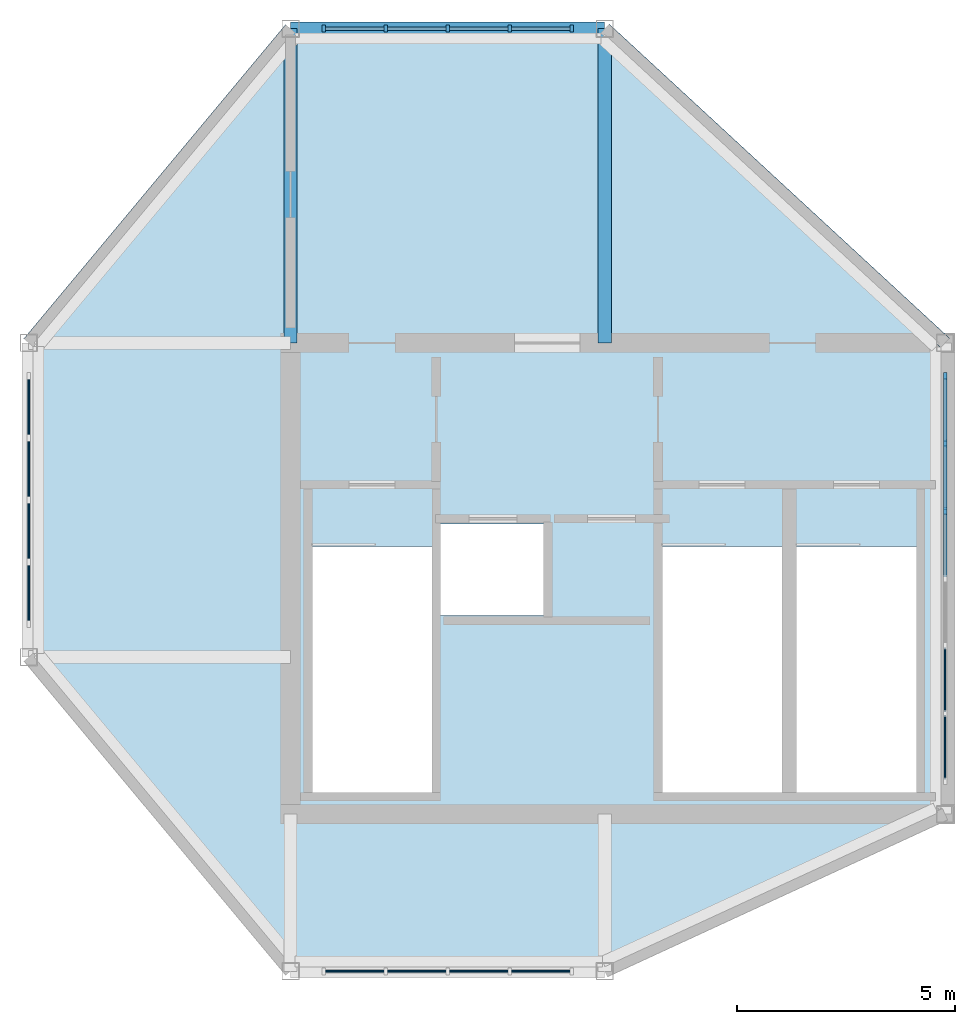
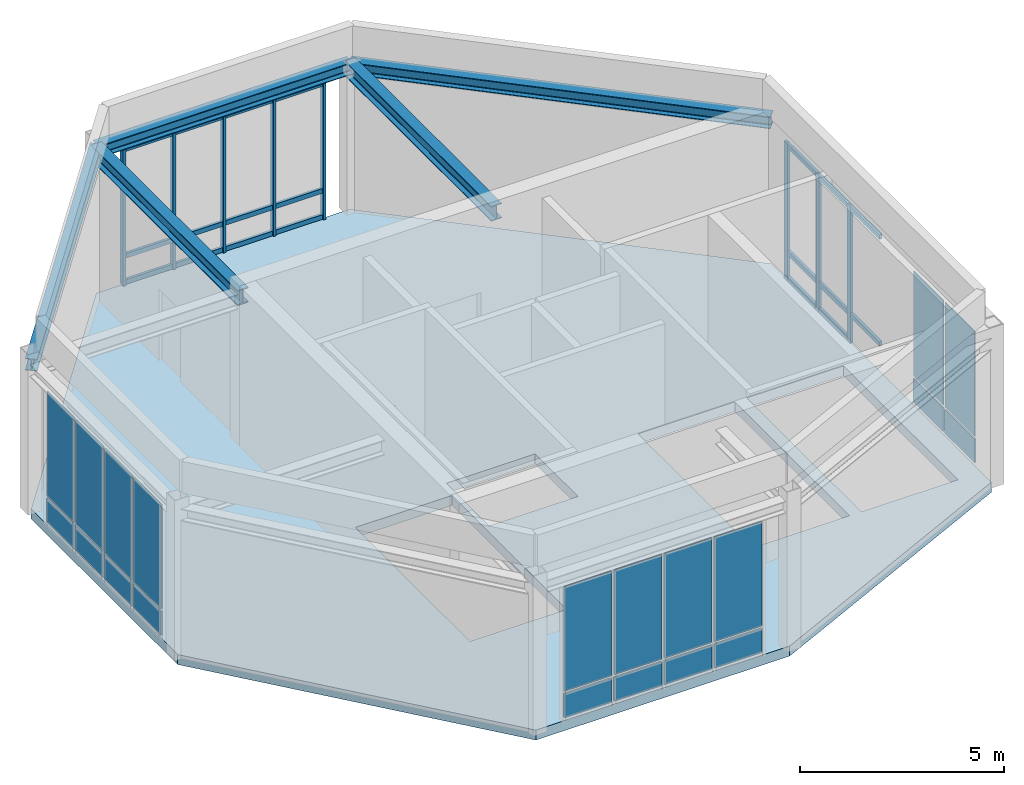
# One storey, part 2 of 5: 28 members, 20 plates, 5 beams, 1 slab, 4 elements without a shape of their own.
"""IFC4 building model written with IfcOpenShell, lengths in metres."""

from ifc_helpers import new_model, si_unit, derived_unit, direction, frame, origin, origin_2d, place, context, subcontext, project, spatial, polyline, rectangle, i_section, outline, extrude, source, transform, mapped, material, layer, layer_set, material_profile, profile_set, type_object, type_shapes, element, aggregate, save


model = new_model("IFC4")

# Units and contexts
model_context = context("Model", 3, precision=1e-05, world=origin(), true_north=direction((0.0, 1.0)))
body_context = subcontext(model_context, "Body", "Model", "MODEL_VIEW")
ifc_project = project(units=[si_unit("LENGTHUNIT", "METRE"), si_unit("AREAUNIT", "SQUARE_METRE"), si_unit("VOLUMEUNIT", "CUBIC_METRE"), si_unit("PLANEANGLEUNIT", "RADIAN"), si_unit("MASSUNIT", "GRAM", prefix="KILO"), si_unit("THERMODYNAMICTEMPERATUREUNIT", "KELVIN"), si_unit("POWERUNIT", "WATT"), derived_unit("THERMALTRANSMITTANCEUNIT", [(si_unit("POWERUNIT", "WATT"), 1), (si_unit("AREAUNIT", "SQUARE_METRE"), -1), (si_unit("THERMODYNAMICTEMPERATUREUNIT", "KELVIN"), -1)])], contexts=[model_context])

# Site, building, storey
site_placement = place(None, origin())
site = spatial("IfcSite", under=ifc_project, at=site_placement, CompositionType="ELEMENT")
building_placement = place(site_placement, origin())
building = spatial("IfcBuilding", under=site, at=building_placement, Name="Zahravan Archway Hotel and Residences", CompositionType="ELEMENT")
storey_placement = place(building_placement, frame((0.0, 0.0, 303.89990234375)))
storey = spatial("IfcBuildingStorey", under=building, at=storey_placement, Name="L76", CompositionType="ELEMENT", Elevation=303.89990234375)

# Beams
ifc_material_1 = material(Name="Structural Steel S355JR", Category="steel")
ifc_material_profile_1 = material_profile(ifc_material_1, i_section(OverallWidth=0.300048828125, OverallDepth=0.449951171875, WebThickness=0.013916015625, FlangeThickness=0.02587890625, FilletRadius=0.027099609375, at=origin_2d()), Name="HEB 450", Category="steel")
ifc_profile_set_1 = profile_set([ifc_material_profile_1], Name="Structural Steel S355JR")
beam_type_1 = type_object("IfcBeamType", Name="BM-PRI-HEB450", PredefinedType="BEAM", material=ifc_profile_set_1)
shared_shape_1 = source(origin(), body_context, "Body", "SweptSolid", [
    extrude(i_section(OverallWidth=0.300048828125, OverallDepth=0.449951171875, WebThickness=0.013916015625, FlangeThickness=0.02587890625, FilletRadius=0.027099609375, at=origin_2d()), origin(), (0.0, 0.0, 1.0), 7.2001953125),
])
type_shapes(beam_type_1, [shared_shape_1])
for number, where, z_axis, x_axis, name in (
    (1, (42.0, 14.39990234375, 4.275146484375), (0.0, 1.0, 0.0), (-1.0, 0.0, 0.0), "L76 Crown Drum Radial Girder 5"),
    (2, (34.800048828125, 14.39990234375, 4.275146484375), (0.0, 1.0, 0.0), (-1.0, 0.0, 0.0), "L76 Crown Drum Radial Girder 6"),
):
    element("IfcBeam", number, at=place(storey_placement, frame(where, z_axis=z_axis, x_axis=x_axis)), inside=storey, type_object=beam_type_1, Name=name, PredefinedType="BEAM", context=body_context, shape_type="MappedRepresentation", body=[
        mapped(shared_shape_1, transform((0.0, 0.0, 0.0), scale=1.0)),
    ])
ifc_material_profile_2 = material_profile(ifc_material_1, i_section(OverallWidth=0.300048828125, OverallDepth=0.360107421875, WebThickness=0.012451171875, FlangeThickness=0.0224609375, FilletRadius=0.027099609375, at=origin_2d()), Name="HEB 360", Category="steel")
ifc_profile_set_2 = profile_set([ifc_material_profile_2], Name="Structural Steel S355JR")
beam_type_2 = type_object("IfcBeamType", Name="BM-SPN-HEB360", PredefinedType="SPANDREL", material=ifc_profile_set_2)
shared_shape_2 = source(origin(), body_context, "Body", "SweptSolid", [
    extrude(i_section(OverallWidth=0.300048828125, OverallDepth=0.360107421875, WebThickness=0.012451171875, FlangeThickness=0.0224609375, FilletRadius=0.027099609375, at=origin_2d()), origin(), (0.0, 0.0, 1.0), 7.199951171875),
])
type_shapes(beam_type_2, [shared_shape_2])
beam_1_placement = place(storey_placement, frame((42.0, 21.60009765625, 4.320068359375), z_axis=(-1.0, 0.0, 0.0), x_axis=(0.0, -1.0, 0.0)))
element("IfcBeam", 3, at=beam_1_placement, inside=storey, type_object=beam_type_2, Name="L76 Crown Drum Ring Spandrel 5", PredefinedType="SPANDREL", context=body_context, shape_type="MappedRepresentation", body=[
    mapped(shared_shape_2, transform((0.0, 0.0, 0.0), scale=1.0)),
])
shared_shape_3 = source(origin(), body_context, "Body", "SweptSolid", [
    extrude(i_section(OverallWidth=0.300048828125, OverallDepth=0.360107421875, WebThickness=0.012451171875, FlangeThickness=0.0224609375, FilletRadius=0.027099609375, at=origin_2d()), origin(), (0.0, 0.0, 1.0), 10.615234375),
])
beam_2_placement = place(storey_placement, frame((49.800048828125, 14.39990234375, 4.320068359375), z_axis=(-0.734796390569, 0.678287744551, 0.0), x_axis=(-0.678287744551, -0.734796390569, 0.0)))
element("IfcBeam", 4, at=beam_2_placement, inside=storey, type_object=beam_type_2, Name="L76 Crown Drum Ring Spandrel 4", PredefinedType="SPANDREL", context=body_context, shape_type="MappedRepresentation", body=[
    mapped(shared_shape_3, transform((0.0, 0.0, 0.0), scale=1.0)),
])
shared_shape_4 = source(origin(), body_context, "Body", "SweptSolid", [
    extrude(i_section(OverallWidth=0.300048828125, OverallDepth=0.360107421875, WebThickness=0.012451171875, FlangeThickness=0.0224609375, FilletRadius=0.027099609375, at=origin_2d()), origin(), (0.0, 0.0, 1.0), 9.37255859375),
])
beam_3_placement = place(storey_placement, frame((34.800048828125, 21.60009765625, 4.320068359375), z_axis=(-0.640174150918, -0.768229820104, 0.0), x_axis=(0.768229820104, -0.640174150918, 0.0)))
element("IfcBeam", 5, at=beam_3_placement, inside=storey, type_object=beam_type_2, Name="L76 Crown Drum Ring Spandrel 6", PredefinedType="SPANDREL", context=body_context, shape_type="MappedRepresentation", body=[
    mapped(shared_shape_4, transform((0.0, 0.0, 0.0), scale=1.0)),
])

# Curtain wall, members
ifc_material_2 = material(Name="Bronze-Anodized Unitised Aluminium & Low-E Glass", Category="aluminium")
ifc_layer_1 = layer(ifc_material_2, 0.179931640625, Name="Bronze-Anodized Unitised Aluminium & Low-E Glass", Category="aluminium")
ifc_layer_set_1 = layer_set([ifc_layer_1], Name="Bronze-Anodized Unitised Aluminium & Low-E Glass")
curtain_wall_type = type_object("IfcCurtainWallType", Name="CW-CRN-DRUM", PredefinedType="NOTDEFINED", material=ifc_layer_set_1)
curtain_wall_1_placement = place(storey_placement, origin())
curtain_wall_1 = element("IfcCurtainWall", 6, at=curtain_wall_1_placement, inside=storey, type_object=curtain_wall_type, Name="L76 Curtain Wall CW-DRUM-L76-5-1", PredefinedType="NOTDEFINED")
ifc_material_3 = material(Name="Bronze-Anodized Extruded Aluminium", Category="aluminium")
ifc_material_profile_3 = material_profile(ifc_material_3, rectangle(XDim=0.080078125, YDim=0.139892578125, at=origin_2d()), Name="TRN 80x140", Category="aluminium")
ifc_profile_set_3 = profile_set([ifc_material_profile_3], Name="Bronze-Anodized Extruded Aluminium")
member_type_1 = type_object("IfcMemberType", Name="CWM-TRN-140", PredefinedType="USERDEFINED", material=ifc_profile_set_3)
shared_shape_5 = source(origin(), body_context, "Body", "SweptSolid", [
    extrude(rectangle(XDim=0.080078125, YDim=0.139892578125, at=origin_2d()), origin(), (0.0, 0.0, 1.0), 1.33984375),
])
member_1_placement = place(storey_placement, frame((41.199951171875, 21.60009765625, 0.070068359375), z_axis=(-1.0, 0.0, 0.0), x_axis=(0.0, -1.0, 0.0)))
member_1 = element("IfcMember", 7, at=member_1_placement, type_object=member_type_1, Name="CW-DRUM-L76-5-1 Transom 0-1", ObjectType="TRANSOM", PredefinedType="USERDEFINED", context=body_context, shape_type="MappedRepresentation", body=[
    mapped(shared_shape_5, transform((0.0, 0.0, 0.0), scale=1.0)),
])
member_2_placement = place(storey_placement, frame((41.199951171875, 21.60009765625, 0.85009765625), z_axis=(-1.0, 0.0, 0.0), x_axis=(0.0, -1.0, 0.0)))
member_2 = element("IfcMember", 8, at=member_2_placement, type_object=member_type_1, Name="CW-DRUM-L76-5-1 Transom 0-2", ObjectType="TRANSOM", PredefinedType="USERDEFINED", context=body_context, shape_type="MappedRepresentation", body=[
    mapped(shared_shape_5, transform((0.0, 0.0, 0.0), scale=1.0)),
])
member_3_placement = place(storey_placement, frame((41.199951171875, 21.60009765625, 4.05517578125), z_axis=(-1.0, 0.0, 0.0), x_axis=(0.0, -1.0, 0.0)))
member_3 = element("IfcMember", 9, at=member_3_placement, type_object=member_type_1, Name="CW-DRUM-L76-5-1 Transom 0-3", ObjectType="TRANSOM", PredefinedType="USERDEFINED", context=body_context, shape_type="MappedRepresentation", body=[
    mapped(shared_shape_5, transform((0.0, 0.0, 0.0), scale=1.0)),
])
member_4_placement = place(storey_placement, frame((36.93994140625, 21.60009765625, 0.070068359375), z_axis=(-1.0, 0.0, 0.0), x_axis=(0.0, -1.0, 0.0)))
member_4 = element("IfcMember", 10, at=member_4_placement, type_object=member_type_1, Name="CW-DRUM-L76-5-1 Transom 3-1", ObjectType="TRANSOM", PredefinedType="USERDEFINED", context=body_context, shape_type="MappedRepresentation", body=[
    mapped(shared_shape_5, transform((0.0, 0.0, 0.0), scale=1.0)),
])
member_5_placement = place(storey_placement, frame((36.93994140625, 21.60009765625, 0.85009765625), z_axis=(-1.0, 0.0, 0.0), x_axis=(0.0, -1.0, 0.0)))
member_5 = element("IfcMember", 11, at=member_5_placement, type_object=member_type_1, Name="CW-DRUM-L76-5-1 Transom 3-2", ObjectType="TRANSOM", PredefinedType="USERDEFINED", context=body_context, shape_type="MappedRepresentation", body=[
    mapped(shared_shape_5, transform((0.0, 0.0, 0.0), scale=1.0)),
])
member_6_placement = place(storey_placement, frame((36.93994140625, 21.60009765625, 4.05517578125), z_axis=(-1.0, 0.0, 0.0), x_axis=(0.0, -1.0, 0.0)))
member_6 = element("IfcMember", 12, at=member_6_placement, type_object=member_type_1, Name="CW-DRUM-L76-5-1 Transom 3-3", ObjectType="TRANSOM", PredefinedType="USERDEFINED", context=body_context, shape_type="MappedRepresentation", body=[
    mapped(shared_shape_5, transform((0.0, 0.0, 0.0), scale=1.0)),
])
shared_shape_6 = source(origin(), body_context, "Body", "SweptSolid", [
    extrude(rectangle(XDim=0.080078125, YDim=0.139892578125, at=origin_2d()), origin(), (0.0, 0.0, 1.0), 1.340087890625),
])
member_7_placement = place(storey_placement, frame((39.780029296875, 21.60009765625, 0.070068359375), z_axis=(-1.0, 0.0, 0.0), x_axis=(0.0, -1.0, 0.0)))
member_7 = element("IfcMember", 13, at=member_7_placement, type_object=member_type_1, Name="CW-DRUM-L76-5-1 Transom 1-1", ObjectType="TRANSOM", PredefinedType="USERDEFINED", context=body_context, shape_type="MappedRepresentation", body=[
    mapped(shared_shape_6, transform((0.0, 0.0, 0.0), scale=1.0)),
])
member_8_placement = place(storey_placement, frame((39.780029296875, 21.60009765625, 0.85009765625), z_axis=(-1.0, 0.0, 0.0), x_axis=(0.0, -1.0, 0.0)))
member_8 = element("IfcMember", 14, at=member_8_placement, type_object=member_type_1, Name="CW-DRUM-L76-5-1 Transom 1-2", ObjectType="TRANSOM", PredefinedType="USERDEFINED", context=body_context, shape_type="MappedRepresentation", body=[
    mapped(shared_shape_6, transform((0.0, 0.0, 0.0), scale=1.0)),
])
member_9_placement = place(storey_placement, frame((39.780029296875, 21.60009765625, 4.05517578125), z_axis=(-1.0, 0.0, 0.0), x_axis=(0.0, -1.0, 0.0)))
member_9 = element("IfcMember", 15, at=member_9_placement, type_object=member_type_1, Name="CW-DRUM-L76-5-1 Transom 1-3", ObjectType="TRANSOM", PredefinedType="USERDEFINED", context=body_context, shape_type="MappedRepresentation", body=[
    mapped(shared_shape_6, transform((0.0, 0.0, 0.0), scale=1.0)),
])
member_10_placement = place(storey_placement, frame((38.360107421875, 21.60009765625, 0.070068359375), z_axis=(-1.0, 0.0, 0.0), x_axis=(0.0, -1.0, 0.0)))
member_10 = element("IfcMember", 16, at=member_10_placement, type_object=member_type_1, Name="CW-DRUM-L76-5-1 Transom 2-1", ObjectType="TRANSOM", PredefinedType="USERDEFINED", context=body_context, shape_type="MappedRepresentation", body=[
    mapped(shared_shape_6, transform((0.0, 0.0, 0.0), scale=1.0)),
])
member_11_placement = place(storey_placement, frame((38.360107421875, 21.60009765625, 0.85009765625), z_axis=(-1.0, 0.0, 0.0), x_axis=(0.0, -1.0, 0.0)))
member_11 = element("IfcMember", 17, at=member_11_placement, type_object=member_type_1, Name="CW-DRUM-L76-5-1 Transom 2-2", ObjectType="TRANSOM", PredefinedType="USERDEFINED", context=body_context, shape_type="MappedRepresentation", body=[
    mapped(shared_shape_6, transform((0.0, 0.0, 0.0), scale=1.0)),
])
member_12_placement = place(storey_placement, frame((38.360107421875, 21.60009765625, 4.05517578125), z_axis=(-1.0, 0.0, 0.0), x_axis=(0.0, -1.0, 0.0)))
member_12 = element("IfcMember", 18, at=member_12_placement, type_object=member_type_1, Name="CW-DRUM-L76-5-1 Transom 2-3", ObjectType="TRANSOM", PredefinedType="USERDEFINED", context=body_context, shape_type="MappedRepresentation", body=[
    mapped(shared_shape_6, transform((0.0, 0.0, 0.0), scale=1.0)),
])

curtain_wall_2_placement = place(storey_placement, origin())
curtain_wall_2 = element("IfcCurtainWall", 19, at=curtain_wall_2_placement, inside=storey, type_object=curtain_wall_type, Name="L76 Curtain Wall CW-DRUM-L76-3-1", PredefinedType="NOTDEFINED")
ifc_material_profile_4 = material_profile(ifc_material_3, rectangle(XDim=0.080078125, YDim=0.159912109375, at=origin_2d()), Name="MUL 80x160", Category="aluminium")
ifc_profile_set_4 = profile_set([ifc_material_profile_4], Name="Bronze-Anodized Extruded Aluminium")
member_type_2 = type_object("IfcMemberType", Name="CWM-MUL-160", PredefinedType="MULLION", material=ifc_profile_set_4)
shared_shape_7 = source(origin(), body_context, "Body", "SweptSolid", [
    extrude(rectangle(XDim=0.080078125, YDim=0.159912109375, at=origin_2d()), origin(), (0.0, 0.0, 1.0), 4.125),
])
member_13_placement = place(storey_placement, frame((49.800048828125, 10.546630859375, 0.0), z_axis=(0.0, 0.0, 1.0), x_axis=(1.0, 0.0, 0.0)))
member_13 = element("IfcMember", 20, at=member_13_placement, type_object=member_type_2, Name="CW-DRUM-L76-3-1 Mullion 4", PredefinedType="MULLION", context=body_context, shape_type="MappedRepresentation", body=[
    mapped(shared_shape_7, transform((0.0, 0.0, 0.0), scale=1.0)),
])
member_14_placement = place(storey_placement, frame((49.800048828125, 12.09326171875, 0.0), z_axis=(0.0, 0.0, 1.0), x_axis=(1.0, 0.0, 0.0)))
member_14 = element("IfcMember", 21, at=member_14_placement, type_object=member_type_2, Name="CW-DRUM-L76-3-1 Mullion 5", PredefinedType="MULLION", context=body_context, shape_type="MappedRepresentation", body=[
    mapped(shared_shape_7, transform((0.0, 0.0, 0.0), scale=1.0)),
])
member_15_placement = place(storey_placement, frame((49.800048828125, 13.639892578125, 0.0), z_axis=(0.0, 0.0, 1.0), x_axis=(1.0, 0.0, 0.0)))
member_15 = element("IfcMember", 22, at=member_15_placement, type_object=member_type_2, Name="CW-DRUM-L76-3-1 Mullion 6", PredefinedType="MULLION", context=body_context, shape_type="MappedRepresentation", body=[
    mapped(shared_shape_7, transform((0.0, 0.0, 0.0), scale=1.0)),
])

# Member
member_16_placement = place(storey_placement, frame((41.239990234375, 21.60009765625, 0.0), z_axis=(0.0, 0.0, 1.0), x_axis=(1.0, 0.0, 0.0)))
member_16 = element("IfcMember", 23, at=member_16_placement, type_object=member_type_2, Name="CW-DRUM-L76-5-1 Mullion 0", PredefinedType="MULLION", context=body_context, shape_type="MappedRepresentation", body=[
    mapped(shared_shape_7, transform((0.0, 0.0, 0.0), scale=1.0)),
])

member_17_placement = place(storey_placement, frame((39.820068359375, 21.60009765625, 0.0), z_axis=(0.0, 0.0, 1.0), x_axis=(1.0, 0.0, 0.0)))
member_17 = element("IfcMember", 24, at=member_17_placement, type_object=member_type_2, Name="CW-DRUM-L76-5-1 Mullion 1", PredefinedType="MULLION", context=body_context, shape_type="MappedRepresentation", body=[
    mapped(shared_shape_7, transform((0.0, 0.0, 0.0), scale=1.0)),
])

member_18_placement = place(storey_placement, frame((38.39990234375, 21.60009765625, 0.0), z_axis=(0.0, 0.0, 1.0), x_axis=(1.0, 0.0, 0.0)))
member_18 = element("IfcMember", 25, at=member_18_placement, type_object=member_type_2, Name="CW-DRUM-L76-5-1 Mullion 2", PredefinedType="MULLION", context=body_context, shape_type="MappedRepresentation", body=[
    mapped(shared_shape_7, transform((0.0, 0.0, 0.0), scale=1.0)),
])

member_19_placement = place(storey_placement, frame((36.97998046875, 21.60009765625, 0.0), z_axis=(0.0, 0.0, 1.0), x_axis=(1.0, 0.0, 0.0)))
member_19 = element("IfcMember", 26, at=member_19_placement, type_object=member_type_2, Name="CW-DRUM-L76-5-1 Mullion 3", PredefinedType="MULLION", context=body_context, shape_type="MappedRepresentation", body=[
    mapped(shared_shape_7, transform((0.0, 0.0, 0.0), scale=1.0)),
])

member_20_placement = place(storey_placement, frame((35.56005859375, 21.60009765625, 0.0), z_axis=(0.0, 0.0, 1.0), x_axis=(1.0, 0.0, 0.0)))
member_20 = element("IfcMember", 27, at=member_20_placement, type_object=member_type_2, Name="CW-DRUM-L76-5-1 Mullion 4", PredefinedType="MULLION", context=body_context, shape_type="MappedRepresentation", body=[
    mapped(shared_shape_7, transform((0.0, 0.0, 0.0), scale=1.0)),
])

aggregate(curtain_wall_1, [member_16, member_17, member_18, member_19, member_20, member_1, member_2, member_3, member_7, member_8, member_9, member_10, member_11, member_12, member_4, member_5, member_6])

shared_shape_8 = source(origin(), body_context, "Body", "SweptSolid", [
    extrude(rectangle(XDim=0.080078125, YDim=0.139892578125, at=origin_2d()), origin(), (0.0, 0.0, 1.0), 1.466796875),
])
member_21_placement = place(storey_placement, frame((49.800048828125, 12.13330078125, 0.070068359375), z_axis=(0.0, 1.0, 0.0), x_axis=(-1.0, 0.0, 0.0)))
member_21 = element("IfcMember", 28, at=member_21_placement, type_object=member_type_1, Name="CW-DRUM-L76-3-1 Transom 5-1", ObjectType="TRANSOM", PredefinedType="USERDEFINED", context=body_context, shape_type="MappedRepresentation", body=[
    mapped(shared_shape_8, transform((0.0, 0.0, 0.0), scale=1.0)),
])

member_22_placement = place(storey_placement, frame((49.800048828125, 12.13330078125, 0.85009765625), z_axis=(0.0, 1.0, 0.0), x_axis=(-1.0, 0.0, 0.0)))
member_22 = element("IfcMember", 29, at=member_22_placement, type_object=member_type_1, Name="CW-DRUM-L76-3-1 Transom 5-2", ObjectType="TRANSOM", PredefinedType="USERDEFINED", context=body_context, shape_type="MappedRepresentation", body=[
    mapped(shared_shape_8, transform((0.0, 0.0, 0.0), scale=1.0)),
])

member_23_placement = place(storey_placement, frame((49.800048828125, 12.13330078125, 4.05517578125), z_axis=(0.0, 1.0, 0.0), x_axis=(-1.0, 0.0, 0.0)))
member_23 = element("IfcMember", 30, at=member_23_placement, type_object=member_type_1, Name="CW-DRUM-L76-3-1 Transom 5-3", ObjectType="TRANSOM", PredefinedType="USERDEFINED", context=body_context, shape_type="MappedRepresentation", body=[
    mapped(shared_shape_8, transform((0.0, 0.0, 0.0), scale=1.0)),
])

shared_shape_9 = source(origin(), body_context, "Body", "SweptSolid", [
    extrude(rectangle(XDim=0.080078125, YDim=0.139892578125, at=origin_2d()), origin(), (0.0, 0.0, 1.0), 1.466552734375),
])
member_24_placement = place(storey_placement, frame((49.800048828125, 9.0400390625, 0.85009765625), z_axis=(0.0, 1.0, 0.0), x_axis=(-1.0, 0.0, 0.0)))
member_24 = element("IfcMember", 31, at=member_24_placement, type_object=member_type_1, Name="CW-DRUM-L76-3-1 Transom 3-2", ObjectType="TRANSOM", PredefinedType="USERDEFINED", context=body_context, shape_type="MappedRepresentation", body=[
    mapped(shared_shape_9, transform((0.0, 0.0, 0.0), scale=1.0)),
])

member_25_placement = place(storey_placement, frame((49.800048828125, 9.0400390625, 4.05517578125), z_axis=(0.0, 1.0, 0.0), x_axis=(-1.0, 0.0, 0.0)))
member_25 = element("IfcMember", 32, at=member_25_placement, type_object=member_type_1, Name="CW-DRUM-L76-3-1 Transom 3-3", ObjectType="TRANSOM", PredefinedType="USERDEFINED", context=body_context, shape_type="MappedRepresentation", body=[
    mapped(shared_shape_9, transform((0.0, 0.0, 0.0), scale=1.0)),
])

member_26_placement = place(storey_placement, frame((49.800048828125, 10.586669921875, 0.070068359375), z_axis=(0.0, 1.0, 0.0), x_axis=(-1.0, 0.0, 0.0)))
member_26 = element("IfcMember", 33, at=member_26_placement, type_object=member_type_1, Name="CW-DRUM-L76-3-1 Transom 4-1", ObjectType="TRANSOM", PredefinedType="USERDEFINED", context=body_context, shape_type="MappedRepresentation", body=[
    mapped(shared_shape_9, transform((0.0, 0.0, 0.0), scale=1.0)),
])

member_27_placement = place(storey_placement, frame((49.800048828125, 10.586669921875, 0.85009765625), z_axis=(0.0, 1.0, 0.0), x_axis=(-1.0, 0.0, 0.0)))
member_27 = element("IfcMember", 34, at=member_27_placement, type_object=member_type_1, Name="CW-DRUM-L76-3-1 Transom 4-2", ObjectType="TRANSOM", PredefinedType="USERDEFINED", context=body_context, shape_type="MappedRepresentation", body=[
    mapped(shared_shape_9, transform((0.0, 0.0, 0.0), scale=1.0)),
])

member_28_placement = place(storey_placement, frame((49.800048828125, 10.586669921875, 4.05517578125), z_axis=(0.0, 1.0, 0.0), x_axis=(-1.0, 0.0, 0.0)))
member_28 = element("IfcMember", 35, at=member_28_placement, type_object=member_type_1, Name="CW-DRUM-L76-3-1 Transom 4-3", ObjectType="TRANSOM", PredefinedType="USERDEFINED", context=body_context, shape_type="MappedRepresentation", body=[
    mapped(shared_shape_9, transform((0.0, 0.0, 0.0), scale=1.0)),
])

# Slab
ifc_material_4 = material(Name="Concrete C50/60", Category="concrete")
ifc_layer_2 = layer(ifc_material_4, 0.300048828125, Name="Concrete C50/60", Category="concrete")
ifc_layer_set_2 = layer_set([ifc_layer_2], Name="Concrete C50/60")
slab_type = type_object("IfcSlabType", Name="SLB-FLR-300", PredefinedType="FLOOR", material=ifc_layer_set_2)
slab_placement = place(storey_placement, frame((0.0, 0.0, -0.2998046875)))
element("IfcSlab", 36, at=slab_placement, inside=storey, type_object=slab_type, Name="L76 Floor Slab DRUM", PredefinedType="FLOOR", context=body_context, shape_type="SweptSolid", body=[
    extrude(outline(polyline([(34.800048828125, 0.0), (42.0, 0.0), (49.800048828125, 3.60009765625), (49.800048828125, 14.39990234375), (42.0, 21.60009765625), (34.800048828125, 21.60009765625), (28.800048828125, 14.39990234375), (28.800048828125, 7.199951171875), (34.800048828125, 0.0)]), holes=[polyline([(35.300048828125, 9.72998046875), (35.300048828125, 4.10009765625), (38.0400390625, 4.10009765625), (38.0400390625, 9.72998046875), (35.300048828125, 9.72998046875)]), polyline([(43.320068359375, 9.72998046875), (43.320068359375, 4.10009765625), (46.06005859375, 4.10009765625), (46.06005859375, 9.72998046875), (43.320068359375, 9.72998046875)]), polyline([(46.39990234375, 9.72998046875), (46.39990234375, 4.10009765625), (49.139892578125, 4.10009765625), (49.139892578125, 9.72998046875), (46.39990234375, 9.72998046875)]), polyline([(38.179931640625, 8.14990234375), (40.699951171875, 8.14990234375), (40.699951171875, 10.25), (38.179931640625, 10.25), (38.179931640625, 8.14990234375)])]), origin(), (0.0, 0.0, 1.0), 0.2998046875),
])

# Curtain wall, plates
curtain_wall_3_placement = place(storey_placement, origin())
curtain_wall_3 = element("IfcCurtainWall", 37, at=curtain_wall_3_placement, inside=storey, type_object=curtain_wall_type, Name="L76 Curtain Wall CW-DRUM-L76-1-1", PredefinedType="NOTDEFINED")
ifc_material_5 = material(Name="Insulated Terracotta Spandrel Panel", Category="masonry")
ifc_layer_3 = layer(ifc_material_5, 0.0400390625, Name="Insulated Terracotta Spandrel Panel", Category="masonry")
ifc_layer_set_3 = layer_set([ifc_layer_3], Name="Insulated Terracotta Spandrel Panel")
plate_type_1 = type_object("IfcPlateType", Name="CWP-SPN-40", PredefinedType="SHEET", material=ifc_layer_set_3)
shared_shape_10 = source(origin(), body_context, "Body", "SweptSolid", [
    extrude(rectangle(XDim=1.340087890625, YDim=0.0400390625, at=origin_2d()), origin(), (0.0, 0.0, 1.0), 0.7099609375),
])
plate_1_placement = place(storey_placement, frame((36.27001953125, 0.0, 0.10009765625), z_axis=(0.0, 0.0, 1.0), x_axis=(1.0, 0.0, 0.0)))
plate_1 = element("IfcPlate", 38, at=plate_1_placement, type_object=plate_type_1, Name="CW-DRUM-L76-1-1 Spandrel Panel 0", PredefinedType="SHEET", context=body_context, shape_type="MappedRepresentation", body=[
    mapped(shared_shape_10, transform((0.0, 0.0, 0.0), scale=1.0)),
])
plate_2_placement = place(storey_placement, frame((37.68994140625, 0.0, 0.10009765625), z_axis=(0.0, 0.0, 1.0), x_axis=(1.0, 0.0, 0.0)))
plate_2 = element("IfcPlate", 39, at=plate_2_placement, type_object=plate_type_1, Name="CW-DRUM-L76-1-1 Spandrel Panel 1", PredefinedType="SHEET", context=body_context, shape_type="MappedRepresentation", body=[
    mapped(shared_shape_10, transform((0.0, 0.0, 0.0), scale=1.0)),
])
plate_3_placement = place(storey_placement, frame((39.110107421875, 0.0, 0.10009765625), z_axis=(0.0, 0.0, 1.0), x_axis=(1.0, 0.0, 0.0)))
plate_3 = element("IfcPlate", 40, at=plate_3_placement, type_object=plate_type_1, Name="CW-DRUM-L76-1-1 Spandrel Panel 2", PredefinedType="SHEET", context=body_context, shape_type="MappedRepresentation", body=[
    mapped(shared_shape_10, transform((0.0, 0.0, 0.0), scale=1.0)),
])
plate_4_placement = place(storey_placement, frame((40.530029296875, 0.0, 0.10009765625), z_axis=(0.0, 0.0, 1.0), x_axis=(1.0, 0.0, 0.0)))
plate_4 = element("IfcPlate", 41, at=plate_4_placement, type_object=plate_type_1, Name="CW-DRUM-L76-1-1 Spandrel Panel 3", PredefinedType="SHEET", context=body_context, shape_type="MappedRepresentation", body=[
    mapped(shared_shape_10, transform((0.0, 0.0, 0.0), scale=1.0)),
])

curtain_wall_4_placement = place(storey_placement, origin())
curtain_wall_4 = element("IfcCurtainWall", 42, at=curtain_wall_4_placement, inside=storey, type_object=curtain_wall_type, Name="L76 Curtain Wall CW-DRUM-L76-7-1", PredefinedType="NOTDEFINED")
plate_5_placement = place(storey_placement, frame((28.800048828125, 12.929931640625, 0.10009765625), z_axis=(0.0, 0.0, 1.0), x_axis=(0.0, -1.0, 0.0)))
plate_5 = element("IfcPlate", 43, at=plate_5_placement, type_object=plate_type_1, Name="CW-DRUM-L76-7-1 Spandrel Panel 0", PredefinedType="SHEET", context=body_context, shape_type="MappedRepresentation", body=[
    mapped(shared_shape_10, transform((0.0, 0.0, 0.0), scale=1.0)),
])
plate_6_placement = place(storey_placement, frame((28.800048828125, 11.510009765625, 0.10009765625), z_axis=(0.0, 0.0, 1.0), x_axis=(0.0, -1.0, 0.0)))
plate_6 = element("IfcPlate", 44, at=plate_6_placement, type_object=plate_type_1, Name="CW-DRUM-L76-7-1 Spandrel Panel 1", PredefinedType="SHEET", context=body_context, shape_type="MappedRepresentation", body=[
    mapped(shared_shape_10, transform((0.0, 0.0, 0.0), scale=1.0)),
])
plate_7_placement = place(storey_placement, frame((28.800048828125, 10.090087890625, 0.10009765625), z_axis=(0.0, 0.0, 1.0), x_axis=(0.0, -1.0, 0.0)))
plate_7 = element("IfcPlate", 45, at=plate_7_placement, type_object=plate_type_1, Name="CW-DRUM-L76-7-1 Spandrel Panel 2", PredefinedType="SHEET", context=body_context, shape_type="MappedRepresentation", body=[
    mapped(shared_shape_10, transform((0.0, 0.0, 0.0), scale=1.0)),
])
plate_8_placement = place(storey_placement, frame((28.800048828125, 8.669921875, 0.10009765625), z_axis=(0.0, 0.0, 1.0), x_axis=(0.0, -1.0, 0.0)))
plate_8 = element("IfcPlate", 46, at=plate_8_placement, type_object=plate_type_1, Name="CW-DRUM-L76-7-1 Spandrel Panel 3", PredefinedType="SHEET", context=body_context, shape_type="MappedRepresentation", body=[
    mapped(shared_shape_10, transform((0.0, 0.0, 0.0), scale=1.0)),
])

# Plate
ifc_material_6 = material(Name="Double-Silver Low-E Insulated Vision Glass", Category="glass")
ifc_layer_4 = layer(ifc_material_6, 0.028076171875, Name="Double-Silver Low-E Insulated Vision Glass", Category="glass")
ifc_layer_set_4 = layer_set([ifc_layer_4], Name="Double-Silver Low-E Insulated Vision Glass")
plate_type_2 = type_object("IfcPlateType", Name="CWP-GLZ-28", PredefinedType="CURTAIN_PANEL", material=ifc_layer_set_4)
shared_shape_11 = source(origin(), body_context, "Body", "SweptSolid", [
    extrude(rectangle(XDim=1.340087890625, YDim=0.028076171875, at=origin_2d()), origin(), (0.0, 0.0, 1.0), 3.135009765625),
])
plate_9_placement = place(storey_placement, frame((36.27001953125, 0.0, 0.89013671875), z_axis=(0.0, 0.0, 1.0), x_axis=(1.0, 0.0, 0.0)))
plate_9 = element("IfcPlate", 47, at=plate_9_placement, type_object=plate_type_2, Name="CW-DRUM-L76-1-1 Low-E Vision Panel 0", PredefinedType="CURTAIN_PANEL", context=body_context, shape_type="MappedRepresentation", body=[
    mapped(shared_shape_11, transform((0.0, 0.0, 0.0), scale=1.0)),
])

plate_10_placement = place(storey_placement, frame((37.68994140625, 0.0, 0.89013671875), z_axis=(0.0, 0.0, 1.0), x_axis=(1.0, 0.0, 0.0)))
plate_10 = element("IfcPlate", 48, at=plate_10_placement, type_object=plate_type_2, Name="CW-DRUM-L76-1-1 Low-E Vision Panel 1", PredefinedType="CURTAIN_PANEL", context=body_context, shape_type="MappedRepresentation", body=[
    mapped(shared_shape_11, transform((0.0, 0.0, 0.0), scale=1.0)),
])

plate_11_placement = place(storey_placement, frame((39.110107421875, 0.0, 0.89013671875), z_axis=(0.0, 0.0, 1.0), x_axis=(1.0, 0.0, 0.0)))
plate_11 = element("IfcPlate", 49, at=plate_11_placement, type_object=plate_type_2, Name="CW-DRUM-L76-1-1 Low-E Vision Panel 2", PredefinedType="CURTAIN_PANEL", context=body_context, shape_type="MappedRepresentation", body=[
    mapped(shared_shape_11, transform((0.0, 0.0, 0.0), scale=1.0)),
])

plate_12_placement = place(storey_placement, frame((40.530029296875, 0.0, 0.89013671875), z_axis=(0.0, 0.0, 1.0), x_axis=(1.0, 0.0, 0.0)))
plate_12 = element("IfcPlate", 50, at=plate_12_placement, type_object=plate_type_2, Name="CW-DRUM-L76-1-1 Low-E Vision Panel 3", PredefinedType="CURTAIN_PANEL", context=body_context, shape_type="MappedRepresentation", body=[
    mapped(shared_shape_11, transform((0.0, 0.0, 0.0), scale=1.0)),
])

aggregate(curtain_wall_3, [plate_1, plate_9, plate_2, plate_10, plate_3, plate_11, plate_4, plate_12])

plate_13_placement = place(storey_placement, frame((28.800048828125, 12.929931640625, 0.89013671875), z_axis=(0.0, 0.0, 1.0), x_axis=(0.0, -1.0, 0.0)))
plate_13 = element("IfcPlate", 51, at=plate_13_placement, type_object=plate_type_2, Name="CW-DRUM-L76-7-1 Low-E Vision Panel 0", PredefinedType="CURTAIN_PANEL", context=body_context, shape_type="MappedRepresentation", body=[
    mapped(shared_shape_11, transform((0.0, 0.0, 0.0), scale=1.0)),
])

plate_14_placement = place(storey_placement, frame((28.800048828125, 11.510009765625, 0.89013671875), z_axis=(0.0, 0.0, 1.0), x_axis=(0.0, -1.0, 0.0)))
plate_14 = element("IfcPlate", 52, at=plate_14_placement, type_object=plate_type_2, Name="CW-DRUM-L76-7-1 Low-E Vision Panel 1", PredefinedType="CURTAIN_PANEL", context=body_context, shape_type="MappedRepresentation", body=[
    mapped(shared_shape_11, transform((0.0, 0.0, 0.0), scale=1.0)),
])

plate_15_placement = place(storey_placement, frame((28.800048828125, 10.090087890625, 0.89013671875), z_axis=(0.0, 0.0, 1.0), x_axis=(0.0, -1.0, 0.0)))
plate_15 = element("IfcPlate", 53, at=plate_15_placement, type_object=plate_type_2, Name="CW-DRUM-L76-7-1 Low-E Vision Panel 2", PredefinedType="CURTAIN_PANEL", context=body_context, shape_type="MappedRepresentation", body=[
    mapped(shared_shape_11, transform((0.0, 0.0, 0.0), scale=1.0)),
])

plate_16_placement = place(storey_placement, frame((28.800048828125, 8.669921875, 0.89013671875), z_axis=(0.0, 0.0, 1.0), x_axis=(0.0, -1.0, 0.0)))
plate_16 = element("IfcPlate", 54, at=plate_16_placement, type_object=plate_type_2, Name="CW-DRUM-L76-7-1 Low-E Vision Panel 3", PredefinedType="CURTAIN_PANEL", context=body_context, shape_type="MappedRepresentation", body=[
    mapped(shared_shape_11, transform((0.0, 0.0, 0.0), scale=1.0)),
])

aggregate(curtain_wall_4, [plate_5, plate_13, plate_6, plate_14, plate_7, plate_15, plate_8, plate_16])

shared_shape_12 = source(origin(), body_context, "Body", "SweptSolid", [
    extrude(rectangle(XDim=1.466796875, YDim=0.0400390625, at=origin_2d()), origin(), (0.0, 0.0, 1.0), 0.7099609375),
])
plate_17_placement = place(storey_placement, frame((49.800048828125, 5.13330078125, 0.10009765625), z_axis=(0.0, 0.0, 1.0), x_axis=(0.0, 1.0, 0.0)))
plate_17 = element("IfcPlate", 55, at=plate_17_placement, type_object=plate_type_1, Name="CW-DRUM-L76-3-1 Spandrel Panel 0", PredefinedType="SHEET", context=body_context, shape_type="MappedRepresentation", body=[
    mapped(shared_shape_12, transform((0.0, 0.0, 0.0), scale=1.0)),
])

plate_18_placement = place(storey_placement, frame((49.800048828125, 6.679931640625, 0.10009765625), z_axis=(0.0, 0.0, 1.0), x_axis=(0.0, 1.0, 0.0)))
plate_18 = element("IfcPlate", 56, at=plate_18_placement, type_object=plate_type_1, Name="CW-DRUM-L76-3-1 Spandrel Panel 1", PredefinedType="SHEET", context=body_context, shape_type="MappedRepresentation", body=[
    mapped(shared_shape_12, transform((0.0, 0.0, 0.0), scale=1.0)),
])

shared_shape_13 = source(origin(), body_context, "Body", "SweptSolid", [
    extrude(rectangle(XDim=1.466796875, YDim=0.028076171875, at=origin_2d()), origin(), (0.0, 0.0, 1.0), 3.135009765625),
])
plate_19_placement = place(storey_placement, frame((49.800048828125, 5.13330078125, 0.89013671875), z_axis=(0.0, 0.0, 1.0), x_axis=(0.0, 1.0, 0.0)))
plate_19 = element("IfcPlate", 57, at=plate_19_placement, type_object=plate_type_2, Name="CW-DRUM-L76-3-1 Low-E Vision Panel 0", PredefinedType="CURTAIN_PANEL", context=body_context, shape_type="MappedRepresentation", body=[
    mapped(shared_shape_13, transform((0.0, 0.0, 0.0), scale=1.0)),
])

plate_20_placement = place(storey_placement, frame((49.800048828125, 6.679931640625, 0.89013671875), z_axis=(0.0, 0.0, 1.0), x_axis=(0.0, 1.0, 0.0)))
plate_20 = element("IfcPlate", 58, at=plate_20_placement, type_object=plate_type_2, Name="CW-DRUM-L76-3-1 Low-E Vision Panel 1", PredefinedType="CURTAIN_PANEL", context=body_context, shape_type="MappedRepresentation", body=[
    mapped(shared_shape_13, transform((0.0, 0.0, 0.0), scale=1.0)),
])

aggregate(curtain_wall_2, [member_13, member_14, member_15, plate_17, plate_19, plate_18, plate_20, member_24, member_25, member_26, member_27, member_28, member_21, member_22, member_23])

save(model, "model.ifc")
